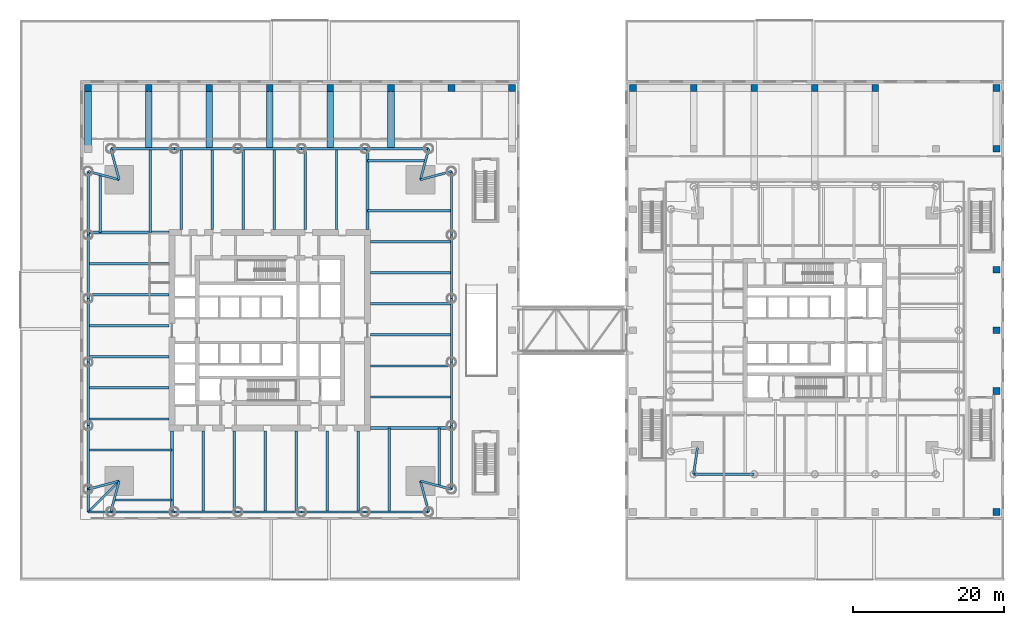
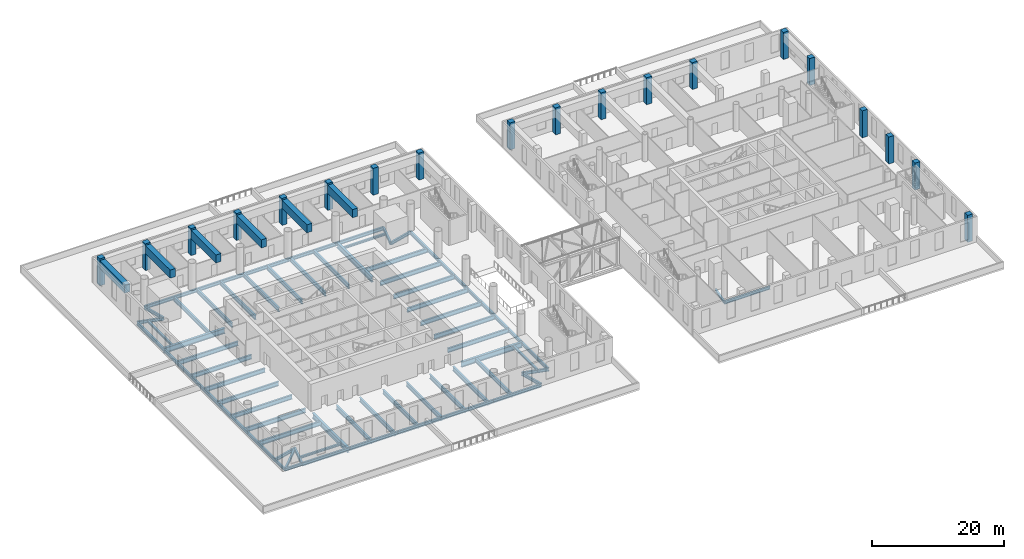
# One storey, part 3 of 23: 75 beams, 19 columns.
"""IFC4 building model written with IfcOpenShell, lengths in metres."""

from ifc_helpers import new_model, si_unit, direction, frame, origin, origin_2d, place, context, subcontext, project, spatial, rectangle, i_section, extrude, material, material_profile, profile_set, type_object, element, save


model = new_model("IFC4")

# Units and contexts
model_context = context("Model", 3, precision=1e-05, world=origin(), true_north=direction((0.0, 1.0)))
body_context = subcontext(model_context, "Body", "Model", "MODEL_VIEW")
ifc_project = project(units=[si_unit("LENGTHUNIT", "METRE"), si_unit("AREAUNIT", "SQUARE_METRE"), si_unit("VOLUMEUNIT", "CUBIC_METRE"), si_unit("PLANEANGLEUNIT", "RADIAN"), si_unit("MASSUNIT", "GRAM", prefix="KILO")], contexts=[model_context])

# Site, building, storey
site_placement = place(None, origin())
site = spatial("IfcSite", under=ifc_project, at=site_placement, CompositionType="ELEMENT")
building_placement = place(site_placement, origin())
building = spatial("IfcBuilding", under=site, at=building_placement, Name="Ostroluk Exchange", CompositionType="ELEMENT")
storey_placement = place(building_placement, frame((0.0, 0.0, 11.0)))
storey = spatial("IfcBuildingStorey", under=building, at=storey_placement, Name="L02", CompositionType="ELEMENT", Elevation=11.0)

# Columns
ifc_material_1 = material(Name="Concrete C50/60", Category="concrete")
ifc_material_profile_1 = material_profile(ifc_material_1, rectangle(XDim=0.89990234375, YDim=0.89990234375, at=origin_2d()), Name="RC 900x900")
ifc_profile_set_1 = profile_set([ifc_material_profile_1], Name="Concrete C50/60")
column_type = type_object("IfcColumnType", Name="Podium column RC 900x900", PredefinedType="COLUMN", material=ifc_profile_set_1)
for number, where, z_axis, x_axis, name in (
    (1, (21.0, 78.0, 0.0), (0.0, 0.0, 1.0), (1.0, 0.0, 0.0), "Podium column 21/78"),
    (2, (29.0, 78.0, 0.0), (0.0, 0.0, 1.0), (1.0, 0.0, 0.0), "Podium column 29/78"),
    (3, (37.0, 78.0, 0.0), (0.0, 0.0, 1.0), (1.0, 0.0, 0.0), "Podium column 37/78"),
    (4, (45.0, 78.0, 0.0), (0.0, 0.0, 1.0), (1.0, 0.0, 0.0), "Podium column 45/78"),
    (5, (53.0, 78.0, 0.0), (0.0, 0.0, 1.0), (1.0, 0.0, 0.0), "Podium column 53/78"),
    (6, (61.0, 78.0, 0.0), (0.0, 0.0, 1.0), (1.0, 0.0, 0.0), "Podium column 61/78"),
    (7, (69.0, 78.0, 0.0), (0.0, 0.0, 1.0), (1.0, 0.0, 0.0), "Podium column 69/78"),
    (8, (77.0, 78.0, 0.0), (0.0, 0.0, 1.0), (1.0, 0.0, 0.0), "Podium column 77/78"),
    (9, (93.0, 78.0, 0.0), (0.0, 0.0, 1.0), (1.0, 0.0, 0.0), "Podium column 93/78"),
    (10, (101.0, 78.0, 0.0), (0.0, 0.0, 1.0), (1.0, 0.0, 0.0), "Podium column 101/78"),
    (11, (109.0, 78.0, 0.0), (0.0, 0.0, 1.0), (1.0, 0.0, 0.0), "Podium column 109/78"),
    (12, (117.0, 78.0, 0.0), (0.0, 0.0, 1.0), (1.0, 0.0, 0.0), "Podium column 117/78"),
    (13, (125.0, 78.0, 0.0), (0.0, 0.0, 1.0), (1.0, 0.0, 0.0), "Podium column 125/78"),
    (14, (141.0, 22.0, 0.0), (0.0, 0.0, 1.0), (1.0, 0.0, 0.0), "Podium column 141/22"),
    (15, (141.0, 38.0, 0.0), (0.0, 0.0, 1.0), (1.0, 0.0, 0.0), "Podium column 141/38"),
    (16, (141.0, 46.0, 0.0), (0.0, 0.0, 1.0), (1.0, 0.0, 0.0), "Podium column 141/46"),
    (17, (141.0, 54.0, 0.0), (0.0, 0.0, 1.0), (1.0, 0.0, 0.0), "Podium column 141/54"),
    (18, (141.0, 70.0, 0.0), (0.0, 0.0, 1.0), (1.0, 0.0, 0.0), "Podium column 141/70"),
    (19, (141.0, 78.0, 0.0), (0.0, 0.0, 1.0), (1.0, 0.0, 0.0), "Podium column 141/78"),
):
    element("IfcColumn", number, at=place(storey_placement, frame(where, z_axis=z_axis, x_axis=x_axis)), inside=storey, type_object=column_type, Name=name, PredefinedType="COLUMN", context=body_context, shape_type="SweptSolid", body=[
        extrude(rectangle(XDim=0.89990234375, YDim=0.89990234375, at=origin_2d()), origin(), (0.0, 0.0, 1.0), 5.0),
    ])

# Beams
ifc_material_2 = material(Name="Steel S355", Category="steel")
ifc_material_profile_2 = material_profile(ifc_material_2, i_section(OverallWidth=0.300048828125, OverallDepth=0.5, WebThickness=0.014404296875, FlangeThickness=0.028076171875, FilletRadius=0.027099609375, at=origin_2d()), Name="HEB 500")
ifc_profile_set_2 = profile_set([ifc_material_profile_2], Name="Steel S355")
beam_type_1 = type_object("IfcBeamType", Name="Balcony beam HEB 500", PredefinedType="BEAM", material=ifc_profile_set_2)
for number, where, z_axis, x_axis, name in (
    (20, (21.0, 25.0, -0.550048828125), (0.0, -1.0, 0.0), (1.0, 0.0, 0.0), "T1 west balcony beam a"),
    (21, (24.0, 22.0, -0.550048828125), (-1.0, 0.0, 0.0), (0.0, -1.0, 0.0), "T1 west balcony beam b"),
):
    element("IfcBeam", number, at=place(storey_placement, frame(where, z_axis=z_axis, x_axis=x_axis)), inside=storey, type_object=beam_type_1, Name=name, PredefinedType="BEAM", context=body_context, shape_type="SweptSolid", body=[
        extrude(i_section(OverallWidth=0.300048828125, OverallDepth=0.5, WebThickness=0.014404296875, FlangeThickness=0.028076171875, FilletRadius=0.027099609375, at=origin_2d()), origin(), (0.0, 0.0, 1.0), 3.0),
    ])
beam_1_placement = place(storey_placement, frame((25.10009765625, 26.10009765625, -0.550048828125), z_axis=(-0.707106781187, -0.707106781187, 0.0), x_axis=(0.707106781187, -0.707106781187, 0.0)))
element("IfcBeam", 22, at=beam_1_placement, inside=storey, type_object=beam_type_1, Name="T1 west balcony beam c", PredefinedType="BEAM", context=body_context, shape_type="SweptSolid", body=[
    extrude(i_section(OverallWidth=0.300048828125, OverallDepth=0.5, WebThickness=0.014404296875, FlangeThickness=0.028076171875, FilletRadius=0.027099609375, at=origin_2d()), origin(), (0.0, 0.0, 1.0), 5.79833984375),
])
ifc_material_3 = material(Name="Steel S355", Category="steel")
ifc_material_profile_3 = material_profile(ifc_material_3, i_section(OverallWidth=0.300048828125, OverallDepth=0.39990234375, WebThickness=0.013427734375, FlangeThickness=0.02392578125, FilletRadius=0.027099609375, at=origin_2d()), Name="HEB 400")
ifc_profile_set_3 = profile_set([ifc_material_profile_3], Name="Steel S355")
beam_type_2 = type_object("IfcBeamType", Name="Corner edge beam HEB 400", PredefinedType="SPANDREL", material=ifc_profile_set_3)
beam_2_placement = place(storey_placement, frame((101.5, 30.5, -0.5), z_axis=(-0.141421356237, -0.989949493661, 0.0), x_axis=(0.989949493661, -0.141421356237, 0.0)))
element("IfcBeam", 23, at=beam_2_placement, inside=storey, type_object=beam_type_2, Name="T2 west corner edge beam b", PredefinedType="SPANDREL", context=body_context, shape_type="SweptSolid", body=[
    extrude(i_section(OverallWidth=0.300048828125, OverallDepth=0.39990234375, WebThickness=0.013427734375, FlangeThickness=0.02392578125, FilletRadius=0.027099609375, at=origin_2d()), origin(), (0.0, 0.0, 1.0), 3.53564453125),
])
ifc_material_4 = material(Name="Steel S355", Category="steel")
ifc_material_profile_4 = material_profile(ifc_material_4, i_section(OverallWidth=0.300048828125, OverallDepth=0.550048828125, WebThickness=0.014892578125, FlangeThickness=0.029052734375, FilletRadius=0.027099609375, at=origin_2d()), Name="HEB 550")
ifc_profile_set_4 = profile_set([ifc_material_profile_4], Name="Steel S355")
beam_type_3 = type_object("IfcBeamType", Name="Corner edge beam HEB 550", PredefinedType="SPANDREL", material=ifc_profile_set_4)
for number, where, z_axis, x_axis, name in (
    (24, (64.89990234375, 65.89990234375, -0.574951171875), (0.965838624319, 0.259144268261, 0.0), (-0.259144268261, 0.965838624319, 0.0), "T1 east corner edge beam a"),
    (25, (64.89990234375, 65.89990234375, -0.574951171875), (0.259144268261, 0.965838624319, 0.0), (-0.965838624319, 0.259144268261, 0.0), "T1 east corner edge beam b"),
    (26, (25.10009765625, 65.89990234375, -0.574951171875), (-0.259144268261, 0.965838624319, 0.0), (-0.965838624319, -0.259144268261, 0.0), "T1 north corner edge beam a"),
    (27, (25.10009765625, 65.89990234375, -0.574951171875), (-0.965838624319, 0.259144268261, 0.0), (-0.259144268261, -0.965838624319, 0.0), "T1 north corner edge beam b"),
    (28, (25.10009765625, 26.10009765625, -0.574951171875), (-0.965838624319, -0.259144268261, 0.0), (0.259144268261, -0.965838624319, 0.0), "T1 west corner edge beam a"),
    (29, (25.10009765625, 26.10009765625, -0.574951171875), (-0.259144268261, -0.965838624319, 0.0), (0.965838624319, -0.259144268261, 0.0), "T1 west corner edge beam b"),
    (30, (64.89990234375, 26.10009765625, -0.574951171875), (0.259144268261, -0.965838624319, 0.0), (0.965838624319, 0.259144268261, 0.0), "T1 south corner edge beam a"),
    (31, (64.89990234375, 26.10009765625, -0.574951171875), (0.965838624319, -0.259144268261, 0.0), (0.259144268261, 0.965838624319, 0.0), "T1 south corner edge beam b"),
):
    element("IfcBeam", number, at=place(storey_placement, frame(where, z_axis=z_axis, x_axis=x_axis)), inside=storey, type_object=beam_type_3, Name=name, PredefinedType="SPANDREL", context=body_context, shape_type="SweptSolid", body=[
        extrude(i_section(OverallWidth=0.300048828125, OverallDepth=0.550048828125, WebThickness=0.014892578125, FlangeThickness=0.029052734375, FilletRadius=0.027099609375, at=origin_2d()), origin(), (0.0, 0.0, 1.0), 4.2451171875),
    ])
ifc_material_5 = material(Name="Steel S355", Category="steel")
ifc_material_profile_5 = material_profile(ifc_material_5, i_section(OverallWidth=0.300048828125, OverallDepth=0.39990234375, WebThickness=0.013427734375, FlangeThickness=0.02392578125, FilletRadius=0.027099609375, at=origin_2d()), Name="HEB 400")
ifc_profile_set_5 = profile_set([ifc_material_profile_5], Name="Steel S355")
beam_type_4 = type_object("IfcBeamType", Name="Floor beam HEB 400", PredefinedType="BEAM", material=ifc_profile_set_5)
for number, where, z_axis, x_axis, name in (
    (32, (57.89990234375, 68.39990234375, -0.5), (1.0, 0.0, 0.0), (0.0, 1.0, 0.0), "T1 east floor beam 8"),
    (33, (22.60009765625, 58.89990234375, -0.5), (0.0, 1.0, 0.0), (-1.0, 0.0, 0.0), "T1 north floor beam 8"),
    (34, (32.10009765625, 23.60009765625, -0.5), (-1.0, 0.0, 0.0), (0.0, -1.0, 0.0), "T1 west floor beam 8"),
    (35, (67.39990234375, 33.10009765625, -0.5), (0.0, -1.0, 0.0), (1.0, 0.0, 0.0), "T1 south floor beam 8"),
):
    element("IfcBeam", number, at=place(storey_placement, frame(where, z_axis=z_axis, x_axis=x_axis)), inside=storey, type_object=beam_type_4, Name=name, PredefinedType="BEAM", context=body_context, shape_type="SweptSolid", body=[
        extrude(i_section(OverallWidth=0.300048828125, OverallDepth=0.39990234375, WebThickness=0.013427734375, FlangeThickness=0.02392578125, FilletRadius=0.027099609375, at=origin_2d()), origin(), (0.0, 0.0, 1.0), 7.6708984375),
    ])
ifc_material_6 = material(Name="Steel S355", Category="steel")
ifc_material_profile_6 = material_profile(ifc_material_6, i_section(OverallWidth=0.300048828125, OverallDepth=0.800048828125, WebThickness=0.017578125, FlangeThickness=0.032958984375, FilletRadius=0.030029296875, at=origin_2d()), Name="HEB 800")
ifc_profile_set_6 = profile_set([ifc_material_profile_6], Name="Steel S355")
beam_type_5 = type_object("IfcBeamType", Name="Floor beam HEB 800", PredefinedType="BEAM", material=ifc_profile_set_6)
for number, where, z_axis, x_axis, name in (
    (36, (58.300048828125, 37.199951171875, -0.699951171875), (1.0, 0.0, 0.0), (0.0, 1.0, 0.0), "T1 east floor beam 1"),
    (37, (58.300048828125, 41.300048828125, -0.699951171875), (1.0, 0.0, 0.0), (0.0, 1.0, 0.0), "T1 east floor beam 2"),
    (38, (58.300048828125, 45.39990234375, -0.699951171875), (1.0, 0.0, 0.0), (0.0, 1.0, 0.0), "T1 east floor beam 3"),
    (39, (58.300048828125, 49.5, -0.699951171875), (1.0, 0.0, 0.0), (0.0, 1.0, 0.0), "T1 east floor beam 4"),
    (40, (58.300048828125, 53.60009765625, -0.699951171875), (1.0, 0.0, 0.0), (0.0, 1.0, 0.0), "T1 east floor beam 5"),
    (41, (53.800048828125, 59.300048828125, -0.699951171875), (0.0, 1.0, 0.0), (-1.0, 0.0, 0.0), "T1 north floor beam 1"),
    (42, (49.699951171875, 59.300048828125, -0.699951171875), (0.0, 1.0, 0.0), (-1.0, 0.0, 0.0), "T1 north floor beam 2"),
    (43, (45.60009765625, 59.300048828125, -0.699951171875), (0.0, 1.0, 0.0), (-1.0, 0.0, 0.0), "T1 north floor beam 3"),
    (44, (41.5, 59.300048828125, -0.699951171875), (0.0, 1.0, 0.0), (-1.0, 0.0, 0.0), "T1 north floor beam 4"),
    (45, (37.39990234375, 59.300048828125, -0.699951171875), (0.0, 1.0, 0.0), (-1.0, 0.0, 0.0), "T1 north floor beam 5"),
    (46, (31.699951171875, 54.800048828125, -0.699951171875), (-1.0, 0.0, 0.0), (0.0, -1.0, 0.0), "T1 west floor beam 1"),
    (47, (31.699951171875, 50.699951171875, -0.699951171875), (-1.0, 0.0, 0.0), (0.0, -1.0, 0.0), "T1 west floor beam 2"),
    (48, (31.699951171875, 46.60009765625, -0.699951171875), (-1.0, 0.0, 0.0), (0.0, -1.0, 0.0), "T1 west floor beam 3"),
    (49, (31.699951171875, 42.5, -0.699951171875), (-1.0, 0.0, 0.0), (0.0, -1.0, 0.0), "T1 west floor beam 4"),
    (50, (31.699951171875, 38.39990234375, -0.699951171875), (-1.0, 0.0, 0.0), (0.0, -1.0, 0.0), "T1 west floor beam 5"),
    (51, (36.199951171875, 32.699951171875, -0.699951171875), (0.0, -1.0, 0.0), (1.0, 0.0, 0.0), "T1 south floor beam 1"),
    (52, (40.300048828125, 32.699951171875, -0.699951171875), (0.0, -1.0, 0.0), (1.0, 0.0, 0.0), "T1 south floor beam 2"),
    (53, (44.39990234375, 32.699951171875, -0.699951171875), (0.0, -1.0, 0.0), (1.0, 0.0, 0.0), "T1 south floor beam 3"),
    (54, (48.5, 32.699951171875, -0.699951171875), (0.0, -1.0, 0.0), (1.0, 0.0, 0.0), "T1 south floor beam 4"),
    (55, (52.60009765625, 32.699951171875, -0.699951171875), (0.0, -1.0, 0.0), (1.0, 0.0, 0.0), "T1 south floor beam 5"),
):
    element("IfcBeam", number, at=place(storey_placement, frame(where, z_axis=z_axis, x_axis=x_axis)), inside=storey, type_object=beam_type_5, Name=name, PredefinedType="BEAM", context=body_context, shape_type="SweptSolid", body=[
        extrude(i_section(OverallWidth=0.300048828125, OverallDepth=0.800048828125, WebThickness=0.017578125, FlangeThickness=0.032958984375, FilletRadius=0.030029296875, at=origin_2d()), origin(), (0.0, 0.0, 1.0), 10.699951171875),
    ])
ifc_material_7 = material(Name="Steel S355", Category="steel")
ifc_material_profile_7 = material_profile(ifc_material_7, i_section(OverallWidth=0.302978515625, OverallDepth=0.81396484375, WebThickness=0.02099609375, FlangeThickness=0.0400390625, FilletRadius=0.030029296875, at=origin_2d()), Name="HEM 800")
ifc_profile_set_7 = profile_set([ifc_material_profile_7], Name="Steel S355")
beam_type_6 = type_object("IfcBeamType", Name="Floor beam HEM 800", PredefinedType="BEAM", material=ifc_profile_set_7)
beam_3_placement = place(storey_placement, frame((58.300048828125, 57.699951171875, -0.70703125), z_axis=(1.0, 0.0, 0.0), x_axis=(0.0, 1.0, 0.0)))
element("IfcBeam", 56, at=beam_3_placement, inside=storey, type_object=beam_type_6, Name="T1 east floor beam 6", PredefinedType="BEAM", context=body_context, shape_type="SweptSolid", body=[
    extrude(i_section(OverallWidth=0.302978515625, OverallDepth=0.81396484375, WebThickness=0.02099609375, FlangeThickness=0.0400390625, FilletRadius=0.030029296875, at=origin_2d()), origin(), (0.0, 0.0, 1.0), 10.699951171875),
])
beam_4_placement = place(storey_placement, frame((57.89990234375, 61.800048828125, -0.70703125), z_axis=(1.0, 0.0, 0.0), x_axis=(0.0, 1.0, 0.0)))
element("IfcBeam", 57, at=beam_4_placement, inside=storey, type_object=beam_type_6, Name="T1 east floor beam 7", PredefinedType="BEAM", context=body_context, shape_type="SweptSolid", body=[
    extrude(i_section(OverallWidth=0.302978515625, OverallDepth=0.81396484375, WebThickness=0.02099609375, FlangeThickness=0.0400390625, FilletRadius=0.030029296875, at=origin_2d()), origin(), (0.0, 0.0, 1.0), 11.10009765625),
])
beam_5_placement = place(storey_placement, frame((33.300048828125, 59.300048828125, -0.70703125), z_axis=(0.0, 1.0, 0.0), x_axis=(-1.0, 0.0, 0.0)))
element("IfcBeam", 58, at=beam_5_placement, inside=storey, type_object=beam_type_6, Name="T1 north floor beam 6", PredefinedType="BEAM", context=body_context, shape_type="SweptSolid", body=[
    extrude(i_section(OverallWidth=0.302978515625, OverallDepth=0.81396484375, WebThickness=0.02099609375, FlangeThickness=0.0400390625, FilletRadius=0.030029296875, at=origin_2d()), origin(), (0.0, 0.0, 1.0), 10.699951171875),
])
beam_6_placement = place(storey_placement, frame((29.199951171875, 58.89990234375, -0.70703125), z_axis=(0.0, 1.0, 0.0), x_axis=(-1.0, 0.0, 0.0)))
element("IfcBeam", 59, at=beam_6_placement, inside=storey, type_object=beam_type_6, Name="T1 north floor beam 7", PredefinedType="BEAM", context=body_context, shape_type="SweptSolid", body=[
    extrude(i_section(OverallWidth=0.302978515625, OverallDepth=0.81396484375, WebThickness=0.02099609375, FlangeThickness=0.0400390625, FilletRadius=0.030029296875, at=origin_2d()), origin(), (0.0, 0.0, 1.0), 11.10009765625),
])
beam_7_placement = place(storey_placement, frame((31.699951171875, 34.300048828125, -0.70703125), z_axis=(-1.0, 0.0, 0.0), x_axis=(0.0, -1.0, 0.0)))
element("IfcBeam", 60, at=beam_7_placement, inside=storey, type_object=beam_type_6, Name="T1 west floor beam 6", PredefinedType="BEAM", context=body_context, shape_type="SweptSolid", body=[
    extrude(i_section(OverallWidth=0.302978515625, OverallDepth=0.81396484375, WebThickness=0.02099609375, FlangeThickness=0.0400390625, FilletRadius=0.030029296875, at=origin_2d()), origin(), (0.0, 0.0, 1.0), 10.699951171875),
])
beam_8_placement = place(storey_placement, frame((32.10009765625, 30.199951171875, -0.70703125), z_axis=(-1.0, 0.0, 0.0), x_axis=(0.0, -1.0, 0.0)))
element("IfcBeam", 61, at=beam_8_placement, inside=storey, type_object=beam_type_6, Name="T1 west floor beam 7", PredefinedType="BEAM", context=body_context, shape_type="SweptSolid", body=[
    extrude(i_section(OverallWidth=0.302978515625, OverallDepth=0.81396484375, WebThickness=0.02099609375, FlangeThickness=0.0400390625, FilletRadius=0.030029296875, at=origin_2d()), origin(), (0.0, 0.0, 1.0), 11.10009765625),
])
beam_9_placement = place(storey_placement, frame((56.699951171875, 32.699951171875, -0.70703125), z_axis=(0.0, -1.0, 0.0), x_axis=(1.0, 0.0, 0.0)))
element("IfcBeam", 62, at=beam_9_placement, inside=storey, type_object=beam_type_6, Name="T1 south floor beam 6", PredefinedType="BEAM", context=body_context, shape_type="SweptSolid", body=[
    extrude(i_section(OverallWidth=0.302978515625, OverallDepth=0.81396484375, WebThickness=0.02099609375, FlangeThickness=0.0400390625, FilletRadius=0.030029296875, at=origin_2d()), origin(), (0.0, 0.0, 1.0), 10.699951171875),
])
beam_10_placement = place(storey_placement, frame((60.800048828125, 33.10009765625, -0.70703125), z_axis=(0.0, -1.0, 0.0), x_axis=(1.0, 0.0, 0.0)))
element("IfcBeam", 63, at=beam_10_placement, inside=storey, type_object=beam_type_6, Name="T1 south floor beam 7", PredefinedType="BEAM", context=body_context, shape_type="SweptSolid", body=[
    extrude(i_section(OverallWidth=0.302978515625, OverallDepth=0.81396484375, WebThickness=0.02099609375, FlangeThickness=0.0400390625, FilletRadius=0.030029296875, at=origin_2d()), origin(), (0.0, 0.0, 1.0), 11.10009765625),
])
ifc_material_8 = material(Name="Steel S355", Category="steel")
ifc_material_profile_8 = material_profile(ifc_material_8, i_section(OverallWidth=0.402099609375, OverallDepth=1.011962890625, WebThickness=0.035888671875, FlangeThickness=0.055908203125, FilletRadius=0.030029296875, at=origin_2d()), Name="HL 1000x443")
ifc_profile_set_8 = profile_set([ifc_material_profile_8], Name="Steel S355")
beam_type_7 = type_object("IfcBeamType", Name="Girder HL 1000x443", PredefinedType="BEAM", material=ifc_profile_set_8)
for number, where, z_axis, x_axis, name in (
    (64, (57.89990234375, 59.300048828125, -0.805908203125), (0.0, 1.0, 0.0), (-1.0, 0.0, 0.0), "T1 east girder"),
    (65, (31.699951171875, 58.89990234375, -0.805908203125), (-1.0, 0.0, 0.0), (0.0, -1.0, 0.0), "T1 north girder"),
    (66, (32.10009765625, 32.699951171875, -0.805908203125), (0.0, -1.0, 0.0), (1.0, 0.0, 0.0), "T1 west girder"),
    (67, (58.300048828125, 33.10009765625, -0.805908203125), (1.0, 0.0, 0.0), (0.0, 1.0, 0.0), "T1 south girder"),
):
    element("IfcBeam", number, at=place(storey_placement, frame(where, z_axis=z_axis, x_axis=x_axis)), inside=storey, type_object=beam_type_7, Name=name, PredefinedType="BEAM", context=body_context, shape_type="SweptSolid", body=[
        extrude(i_section(OverallWidth=0.402099609375, OverallDepth=1.011962890625, WebThickness=0.035888671875, FlangeThickness=0.055908203125, FilletRadius=0.030029296875, at=origin_2d()), origin(), (0.0, 0.0, 1.0), 10.699951171875),
    ])
ifc_material_9 = material(Name="Steel S355", Category="steel")
ifc_material_profile_9 = material_profile(ifc_material_9, i_section(OverallWidth=0.300048828125, OverallDepth=0.550048828125, WebThickness=0.014892578125, FlangeThickness=0.029052734375, FilletRadius=0.027099609375, at=origin_2d()), Name="HEB 550")
ifc_profile_set_9 = profile_set([ifc_material_profile_9], Name="Steel S355")
beam_type_8 = type_object("IfcBeamType", Name="Moment-connected edge beam HEB 550", PredefinedType="SPANDREL", material=ifc_profile_set_9)
beam_11_placement = place(storey_placement, frame((101.0, 27.0, -0.574951171875), z_axis=(1.0, 0.0, 0.0), x_axis=(0.0, 1.0, 0.0)))
element("IfcBeam", 68, at=beam_11_placement, inside=storey, type_object=beam_type_8, Name="T2 south edge beam 1", PredefinedType="SPANDREL", context=body_context, shape_type="SweptSolid", body=[
    extrude(i_section(OverallWidth=0.300048828125, OverallDepth=0.550048828125, WebThickness=0.014892578125, FlangeThickness=0.029052734375, FilletRadius=0.027099609375, at=origin_2d()), origin(), (0.0, 0.0, 1.0), 8.0),
])
ifc_material_10 = material(Name="Steel S355", Category="steel")
ifc_material_profile_10 = material_profile(ifc_material_10, i_section(OverallWidth=0.304931640625, OverallDepth=0.6201171875, WebThickness=0.02099609375, FlangeThickness=0.0400390625, FilletRadius=0.027099609375, at=origin_2d()), Name="HEM 600")
ifc_profile_set_10 = profile_set([ifc_material_profile_10], Name="Steel S355")
beam_type_9 = type_object("IfcBeamType", Name="Moment-connected edge beam HEM 600", PredefinedType="SPANDREL", material=ifc_profile_set_10)
beam_12_placement = place(storey_placement, frame((69.0, 25.0, -0.610107421875), z_axis=(0.0, 1.0, 0.0), x_axis=(-1.0, 0.0, 0.0)))
element("IfcBeam", 69, at=beam_12_placement, inside=storey, type_object=beam_type_9, Name="T1 east edge beam 1", PredefinedType="SPANDREL", context=body_context, shape_type="SweptSolid", body=[
    extrude(i_section(OverallWidth=0.304931640625, OverallDepth=0.6201171875, WebThickness=0.02099609375, FlangeThickness=0.0400390625, FilletRadius=0.027099609375, at=origin_2d()), origin(), (0.0, 0.0, 1.0), 8.39990234375),
])
beam_13_placement = place(storey_placement, frame((69.0, 33.39990234375, -0.610107421875), z_axis=(0.0, 1.0, 0.0), x_axis=(-1.0, 0.0, 0.0)))
element("IfcBeam", 70, at=beam_13_placement, inside=storey, type_object=beam_type_9, Name="T1 east edge beam 2", PredefinedType="SPANDREL", context=body_context, shape_type="SweptSolid", body=[
    extrude(i_section(OverallWidth=0.304931640625, OverallDepth=0.6201171875, WebThickness=0.02099609375, FlangeThickness=0.0400390625, FilletRadius=0.027099609375, at=origin_2d()), origin(), (0.0, 0.0, 1.0), 8.400146484375),
])
beam_14_placement = place(storey_placement, frame((69.0, 41.800048828125, -0.610107421875), z_axis=(0.0, 1.0, 0.0), x_axis=(-1.0, 0.0, 0.0)))
element("IfcBeam", 71, at=beam_14_placement, inside=storey, type_object=beam_type_9, Name="T1 east edge beam 3", PredefinedType="SPANDREL", context=body_context, shape_type="SweptSolid", body=[
    extrude(i_section(OverallWidth=0.304931640625, OverallDepth=0.6201171875, WebThickness=0.02099609375, FlangeThickness=0.0400390625, FilletRadius=0.027099609375, at=origin_2d()), origin(), (0.0, 0.0, 1.0), 8.39990234375),
])
beam_15_placement = place(storey_placement, frame((69.0, 50.199951171875, -0.610107421875), z_axis=(0.0, 1.0, 0.0), x_axis=(-1.0, 0.0, 0.0)))
element("IfcBeam", 72, at=beam_15_placement, inside=storey, type_object=beam_type_9, Name="T1 east edge beam 4", PredefinedType="SPANDREL", context=body_context, shape_type="SweptSolid", body=[
    extrude(i_section(OverallWidth=0.304931640625, OverallDepth=0.6201171875, WebThickness=0.02099609375, FlangeThickness=0.0400390625, FilletRadius=0.027099609375, at=origin_2d()), origin(), (0.0, 0.0, 1.0), 8.400146484375),
])
for number, where, z_axis, x_axis, name in (
    (73, (69.0, 58.60009765625, -0.610107421875), (0.0, 1.0, 0.0), (-1.0, 0.0, 0.0), "T1 east edge beam 5"),
    (74, (66.0, 70.0, -0.610107421875), (-1.0, 0.0, 0.0), (0.0, -1.0, 0.0), "T1 north edge beam 1"),
):
    element("IfcBeam", number, at=place(storey_placement, frame(where, z_axis=z_axis, x_axis=x_axis)), inside=storey, type_object=beam_type_9, Name=name, PredefinedType="SPANDREL", context=body_context, shape_type="SweptSolid", body=[
        extrude(i_section(OverallWidth=0.304931640625, OverallDepth=0.6201171875, WebThickness=0.02099609375, FlangeThickness=0.0400390625, FilletRadius=0.027099609375, at=origin_2d()), origin(), (0.0, 0.0, 1.0), 8.39990234375),
    ])
beam_16_placement = place(storey_placement, frame((57.60009765625, 70.0, -0.610107421875), z_axis=(-1.0, 0.0, 0.0), x_axis=(0.0, -1.0, 0.0)))
element("IfcBeam", 75, at=beam_16_placement, inside=storey, type_object=beam_type_9, Name="T1 north edge beam 2", PredefinedType="SPANDREL", context=body_context, shape_type="SweptSolid", body=[
    extrude(i_section(OverallWidth=0.304931640625, OverallDepth=0.6201171875, WebThickness=0.02099609375, FlangeThickness=0.0400390625, FilletRadius=0.027099609375, at=origin_2d()), origin(), (0.0, 0.0, 1.0), 8.400146484375),
])
beam_17_placement = place(storey_placement, frame((49.199951171875, 70.0, -0.610107421875), z_axis=(-1.0, 0.0, 0.0), x_axis=(0.0, -1.0, 0.0)))
element("IfcBeam", 76, at=beam_17_placement, inside=storey, type_object=beam_type_9, Name="T1 north edge beam 3", PredefinedType="SPANDREL", context=body_context, shape_type="SweptSolid", body=[
    extrude(i_section(OverallWidth=0.304931640625, OverallDepth=0.6201171875, WebThickness=0.02099609375, FlangeThickness=0.0400390625, FilletRadius=0.027099609375, at=origin_2d()), origin(), (0.0, 0.0, 1.0), 8.39990234375),
])
beam_18_placement = place(storey_placement, frame((40.800048828125, 70.0, -0.610107421875), z_axis=(-1.0, 0.0, 0.0), x_axis=(0.0, -1.0, 0.0)))
element("IfcBeam", 77, at=beam_18_placement, inside=storey, type_object=beam_type_9, Name="T1 north edge beam 4", PredefinedType="SPANDREL", context=body_context, shape_type="SweptSolid", body=[
    extrude(i_section(OverallWidth=0.304931640625, OverallDepth=0.6201171875, WebThickness=0.02099609375, FlangeThickness=0.0400390625, FilletRadius=0.027099609375, at=origin_2d()), origin(), (0.0, 0.0, 1.0), 8.400146484375),
])
for number, where, z_axis, x_axis, name in (
    (78, (32.39990234375, 70.0, -0.610107421875), (-1.0, 0.0, 0.0), (0.0, -1.0, 0.0), "T1 north edge beam 5"),
    (79, (21.0, 67.0, -0.610107421875), (0.0, -1.0, 0.0), (1.0, 0.0, 0.0), "T1 west edge beam 1"),
):
    element("IfcBeam", number, at=place(storey_placement, frame(where, z_axis=z_axis, x_axis=x_axis)), inside=storey, type_object=beam_type_9, Name=name, PredefinedType="SPANDREL", context=body_context, shape_type="SweptSolid", body=[
        extrude(i_section(OverallWidth=0.304931640625, OverallDepth=0.6201171875, WebThickness=0.02099609375, FlangeThickness=0.0400390625, FilletRadius=0.027099609375, at=origin_2d()), origin(), (0.0, 0.0, 1.0), 8.39990234375),
    ])
beam_19_placement = place(storey_placement, frame((21.0, 58.60009765625, -0.610107421875), z_axis=(0.0, -1.0, 0.0), x_axis=(1.0, 0.0, 0.0)))
element("IfcBeam", 80, at=beam_19_placement, inside=storey, type_object=beam_type_9, Name="T1 west edge beam 2", PredefinedType="SPANDREL", context=body_context, shape_type="SweptSolid", body=[
    extrude(i_section(OverallWidth=0.304931640625, OverallDepth=0.6201171875, WebThickness=0.02099609375, FlangeThickness=0.0400390625, FilletRadius=0.027099609375, at=origin_2d()), origin(), (0.0, 0.0, 1.0), 8.400146484375),
])
beam_20_placement = place(storey_placement, frame((21.0, 50.199951171875, -0.610107421875), z_axis=(0.0, -1.0, 0.0), x_axis=(1.0, 0.0, 0.0)))
element("IfcBeam", 81, at=beam_20_placement, inside=storey, type_object=beam_type_9, Name="T1 west edge beam 3", PredefinedType="SPANDREL", context=body_context, shape_type="SweptSolid", body=[
    extrude(i_section(OverallWidth=0.304931640625, OverallDepth=0.6201171875, WebThickness=0.02099609375, FlangeThickness=0.0400390625, FilletRadius=0.027099609375, at=origin_2d()), origin(), (0.0, 0.0, 1.0), 8.39990234375),
])
beam_21_placement = place(storey_placement, frame((21.0, 41.800048828125, -0.610107421875), z_axis=(0.0, -1.0, 0.0), x_axis=(1.0, 0.0, 0.0)))
element("IfcBeam", 82, at=beam_21_placement, inside=storey, type_object=beam_type_9, Name="T1 west edge beam 4", PredefinedType="SPANDREL", context=body_context, shape_type="SweptSolid", body=[
    extrude(i_section(OverallWidth=0.304931640625, OverallDepth=0.6201171875, WebThickness=0.02099609375, FlangeThickness=0.0400390625, FilletRadius=0.027099609375, at=origin_2d()), origin(), (0.0, 0.0, 1.0), 8.400146484375),
])
for number, where, z_axis, x_axis, name in (
    (83, (21.0, 33.39990234375, -0.610107421875), (0.0, -1.0, 0.0), (1.0, 0.0, 0.0), "T1 west edge beam 5"),
    (84, (24.0, 22.0, -0.610107421875), (1.0, 0.0, 0.0), (0.0, 1.0, 0.0), "T1 south edge beam 1"),
):
    element("IfcBeam", number, at=place(storey_placement, frame(where, z_axis=z_axis, x_axis=x_axis)), inside=storey, type_object=beam_type_9, Name=name, PredefinedType="SPANDREL", context=body_context, shape_type="SweptSolid", body=[
        extrude(i_section(OverallWidth=0.304931640625, OverallDepth=0.6201171875, WebThickness=0.02099609375, FlangeThickness=0.0400390625, FilletRadius=0.027099609375, at=origin_2d()), origin(), (0.0, 0.0, 1.0), 8.39990234375),
    ])
beam_22_placement = place(storey_placement, frame((32.39990234375, 22.0, -0.610107421875), z_axis=(1.0, 0.0, 0.0), x_axis=(0.0, 1.0, 0.0)))
element("IfcBeam", 85, at=beam_22_placement, inside=storey, type_object=beam_type_9, Name="T1 south edge beam 2", PredefinedType="SPANDREL", context=body_context, shape_type="SweptSolid", body=[
    extrude(i_section(OverallWidth=0.304931640625, OverallDepth=0.6201171875, WebThickness=0.02099609375, FlangeThickness=0.0400390625, FilletRadius=0.027099609375, at=origin_2d()), origin(), (0.0, 0.0, 1.0), 8.400146484375),
])
beam_23_placement = place(storey_placement, frame((40.800048828125, 22.0, -0.610107421875), z_axis=(1.0, 0.0, 0.0), x_axis=(0.0, 1.0, 0.0)))
element("IfcBeam", 86, at=beam_23_placement, inside=storey, type_object=beam_type_9, Name="T1 south edge beam 3", PredefinedType="SPANDREL", context=body_context, shape_type="SweptSolid", body=[
    extrude(i_section(OverallWidth=0.304931640625, OverallDepth=0.6201171875, WebThickness=0.02099609375, FlangeThickness=0.0400390625, FilletRadius=0.027099609375, at=origin_2d()), origin(), (0.0, 0.0, 1.0), 8.39990234375),
])
beam_24_placement = place(storey_placement, frame((49.199951171875, 22.0, -0.610107421875), z_axis=(1.0, 0.0, 0.0), x_axis=(0.0, 1.0, 0.0)))
element("IfcBeam", 87, at=beam_24_placement, inside=storey, type_object=beam_type_9, Name="T1 south edge beam 4", PredefinedType="SPANDREL", context=body_context, shape_type="SweptSolid", body=[
    extrude(i_section(OverallWidth=0.304931640625, OverallDepth=0.6201171875, WebThickness=0.02099609375, FlangeThickness=0.0400390625, FilletRadius=0.027099609375, at=origin_2d()), origin(), (0.0, 0.0, 1.0), 8.400146484375),
])
beam_25_placement = place(storey_placement, frame((57.60009765625, 22.0, -0.610107421875), z_axis=(1.0, 0.0, 0.0), x_axis=(0.0, 1.0, 0.0)))
element("IfcBeam", 88, at=beam_25_placement, inside=storey, type_object=beam_type_9, Name="T1 south edge beam 5", PredefinedType="SPANDREL", context=body_context, shape_type="SweptSolid", body=[
    extrude(i_section(OverallWidth=0.304931640625, OverallDepth=0.6201171875, WebThickness=0.02099609375, FlangeThickness=0.0400390625, FilletRadius=0.027099609375, at=origin_2d()), origin(), (0.0, 0.0, 1.0), 8.39990234375),
])
ifc_material_11 = material(Name="Concrete C50/60", Category="concrete")
ifc_material_profile_11 = material_profile(ifc_material_11, rectangle(XDim=0.89990234375, YDim=1.5, at=origin_2d()), Name="RC 900x1500")
ifc_profile_set_11 = profile_set([ifc_material_profile_11], Name="Concrete C50/60")
beam_type_10 = type_object("IfcBeamType", Name="Podium edge beam RC 900x1500", PredefinedType="BEAM", material=ifc_profile_set_11)
for number, where, z_axis, x_axis, name in (
    (89, (21.0, 78.0, 3.949951171875), (0.0, -1.0, 0.0), (1.0, 0.0, 0.0), "Terrace beam L03 west N 21"),
    (90, (29.0, 78.0, 3.949951171875), (0.0, -1.0, 0.0), (1.0, 0.0, 0.0), "Terrace beam L03 west N 29"),
    (91, (37.0, 78.0, 3.949951171875), (0.0, -1.0, 0.0), (1.0, 0.0, 0.0), "Terrace beam L03 west N 37"),
    (92, (45.0, 78.0, 3.949951171875), (0.0, -1.0, 0.0), (1.0, 0.0, 0.0), "Terrace beam L03 west N 45"),
    (93, (53.0, 78.0, 3.949951171875), (0.0, -1.0, 0.0), (1.0, 0.0, 0.0), "Terrace beam L03 west N 53"),
    (94, (61.0, 78.0, 3.949951171875), (0.0, -1.0, 0.0), (1.0, 0.0, 0.0), "Terrace beam L03 west N 61"),
):
    element("IfcBeam", number, at=place(storey_placement, frame(where, z_axis=z_axis, x_axis=x_axis)), inside=storey, type_object=beam_type_10, Name=name, PredefinedType="BEAM", context=body_context, shape_type="SweptSolid", body=[
        extrude(rectangle(XDim=0.89990234375, YDim=1.5, at=origin_2d()), origin(), (0.0, 0.0, 1.0), 8.0),
    ])

save(model, "model.ifc")
